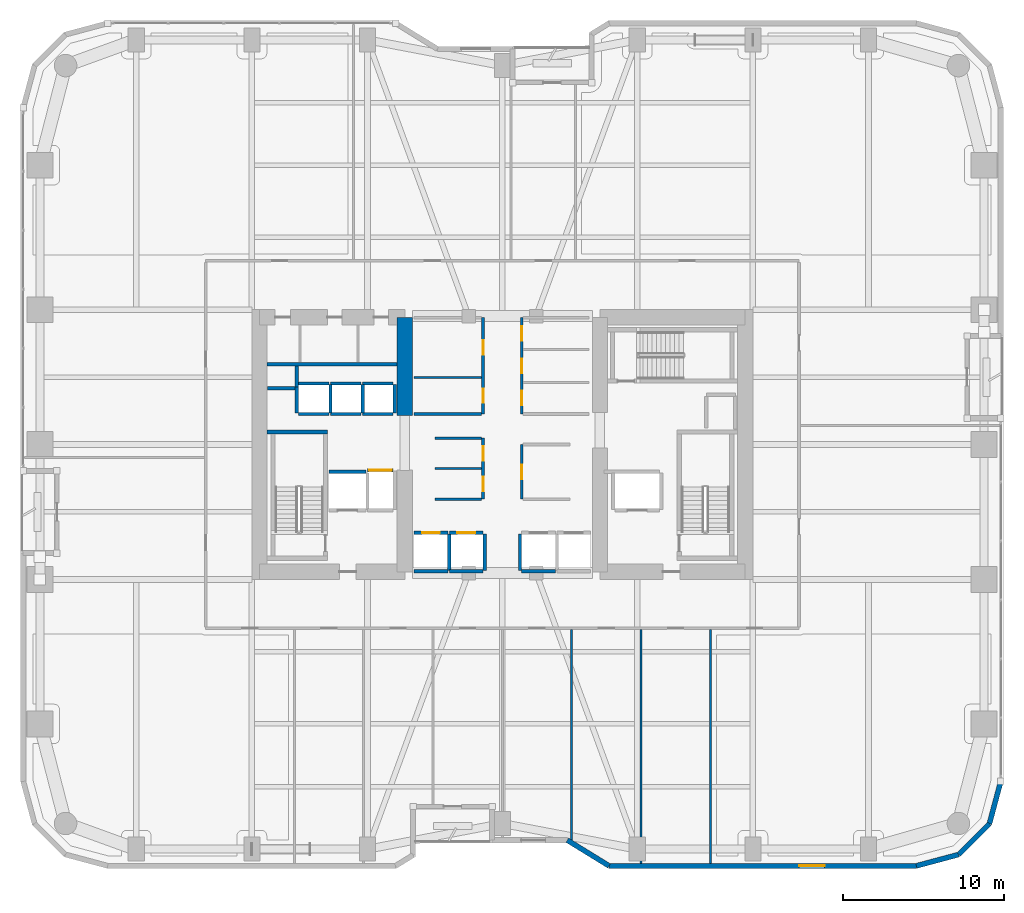
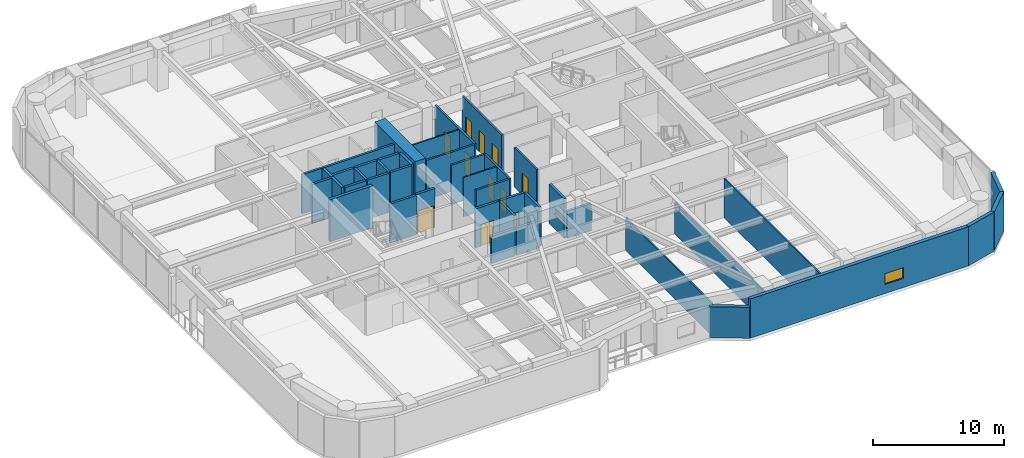
# One storey, part 23 of 28: 42 walls, 11 doors, 1 window, 12 openings.
"""IFC4 building model written with IfcOpenShell, lengths in metres."""

from ifc_helpers import new_model, si_unit, direction, frame, frame_2d, origin, place, context, subcontext, project, spatial, rectangle, extrude, material, layer, layer_set, type_object, element, fill, save


model = new_model("IFC4")

# Units and contexts
model_context = context("Model", 3, precision=1e-05, world=origin(), true_north=direction((0.0, 1.0)))
body_context = subcontext(model_context, "Body", "Model", "MODEL_VIEW")
ifc_project = project(units=[si_unit("LENGTHUNIT", "METRE"), si_unit("AREAUNIT", "SQUARE_METRE"), si_unit("VOLUMEUNIT", "CUBIC_METRE"), si_unit("PLANEANGLEUNIT", "RADIAN"), si_unit("MASSUNIT", "GRAM", prefix="KILO")], contexts=[model_context])

# Site, building, storey
site_placement = place(None, origin())
site = spatial("IfcSite", under=ifc_project, at=site_placement, CompositionType="ELEMENT")
building_placement = place(site_placement, origin())
building = spatial("IfcBuilding", under=site, at=building_placement, Name="Kiyonajd Concourse Tower", CompositionType="ELEMENT")
storey_placement = place(building_placement, frame((0.0, 0.0, 64.5)))
storey = spatial("IfcBuildingStorey", under=building, at=storey_placement, Name="L17", CompositionType="ELEMENT", Elevation=64.5)

# Walls
ifc_material_1 = material(Name="Concrete C80/95", Category="concrete")
ifc_layer_1 = layer(ifc_material_1, 0.949951171875)
ifc_layer_set_1 = layer_set([ifc_layer_1], Name="Concrete C80/95")
wall_type_1 = type_object("IfcWallType", Name="WL-CORE-950", PredefinedType="SHEAR", material=ifc_layer_set_1)
wall_1_placement = place(storey_placement, frame((41.925048828125, 37.800048828125, 0.0), z_axis=(0.0, 0.0, 1.0), x_axis=(0.0, 1.0, 0.0)))
element("IfcWall", 1, at=wall_1_placement, inside=storey, type_object=wall_type_1, Name="L17 West Core Inner North Shear Wall", PredefinedType="SHEAR", context=body_context, shape_type="SweptSolid", body=[
    extrude(rectangle(XDim=6.125, YDim=0.949951171875, at=frame_2d((3.0625, 0.0))), origin(), (0.0, 0.0, 1.0), 3.89990234375),
])
ifc_material_2 = material(Name="Precast concrete C50/60", Category="concrete")
ifc_layer_2 = layer(ifc_material_2, 0.320068359375)
ifc_layer_set_2 = layer_set([ifc_layer_2], Name="Precast concrete C50/60")
wall_type_2 = type_object("IfcWallType", Name="WL-EXT-320", PredefinedType="SOLIDWALL", material=ifc_layer_set_2)
wall_2_placement = place(storey_placement, frame((79.0400390625, 15.02099609375, 0.0), z_axis=(0.0, 0.0, 1.0), x_axis=(-0.25869736047, -0.965958423373, 0.0)))
element("IfcWall", 2, at=wall_2_placement, inside=storey, type_object=wall_type_2, Name="L17 Exterior Concrete Frame Wall 25", PredefinedType="SOLIDWALL", context=body_context, shape_type="SweptSolid", body=[
    extrude(rectangle(XDim=2.731201171875, YDim=0.320068359375, at=frame_2d((1.36572265625, 0.0))), origin(), (0.0, 0.0, 1.0), 3.639892578125),
])
wall_3_placement = place(storey_placement, frame((78.33349609375, 12.3828125, 0.0), z_axis=(0.0, 0.0, 1.0), x_axis=(-0.707106781187, -0.707106781187, 0.0)))
element("IfcWall", 3, at=wall_3_placement, inside=storey, type_object=wall_type_2, Name="L17 Exterior Concrete Frame Wall 26", PredefinedType="SOLIDWALL", context=body_context, shape_type="SweptSolid", body=[
    extrude(rectangle(XDim=2.7099609375, YDim=0.320068359375, at=frame_2d((1.35498046875, 0.0))), origin(), (0.0, 0.0, 1.0), 3.639892578125),
])
wall_4_placement = place(storey_placement, frame((76.417236328125, 10.466552734375, 0.0), z_axis=(0.0, 0.0, 1.0), x_axis=(-0.965964405026, -0.25867502435, 0.0)))
element("IfcWall", 4, at=wall_4_placement, inside=storey, type_object=wall_type_2, Name="L17 Exterior Concrete Frame Wall 27", PredefinedType="SOLIDWALL", context=body_context, shape_type="SweptSolid", body=[
    extrude(rectangle(XDim=2.7314453125, YDim=0.320068359375, at=frame_2d((1.36572265625, 0.0))), origin(), (0.0, 0.0, 1.0), 3.639892578125),
])

# Wall, opening, window
wall_5_placement = place(storey_placement, frame((73.77880859375, 9.760009765625, 0.0), z_axis=(0.0, 0.0, 1.0), x_axis=(-1.0, 0.0, 0.0)))
wall_5 = element("IfcWall", 5, at=wall_5_placement, inside=storey, type_object=wall_type_2, Name="L17 Exterior Concrete Frame Wall 28", PredefinedType="SOLIDWALL", context=body_context, shape_type="SweptSolid", body=[
    extrude(rectangle(XDim=19.133544921875, YDim=0.320068359375, at=frame_2d((9.56689453125, 0.0))), origin(), (0.0, 0.0, 1.0), 3.639892578125),
])
opening_1_placement = place(wall_5_placement, frame((5.7041015625, 0.0, 0.85009765625)))
opening_1 = element("IfcOpeningElement", 6, at=opening_1_placement, cuts=wall_5, Name="Opening WN6", PredefinedType="OPENING", context=body_context, shape_type="SweptSolid", body=[
    extrude(rectangle(XDim=1.60009765625, YDim=1.0, at=frame_2d((0.800048828125, 0.5))), frame((0.0, 0.169921875, 0.0), z_axis=(0.0, -1.0, 0.0), x_axis=(1.0, 0.0, 0.0)), (0.0, 0.0, 1.0), 0.340087890625),
])
ifc_material_3 = material(Name="Double Low-E Insulated Glass", Category="glass")
window_type = type_object("IfcWindowType", Name="WN-VIS-1600x1000", PartitioningType="SINGLE_PANEL", PredefinedType="WINDOW", material=ifc_material_3)
window_placement = place(opening_1_placement, origin())
window = element("IfcWindow", 7, at=window_placement, inside=storey, type_object=window_type, Name="L17 Modular Facade Vision Window 28", OverallHeight=1.0, OverallWidth=1.60009765625, PartitioningType="SINGLE_PANEL", PredefinedType="WINDOW", context=body_context, shape_type="SweptSolid", body=[
    extrude(rectangle(XDim=1.60009765625, YDim=1.0, at=frame_2d((0.800048828125, 0.5))), frame((0.0, 0.030029296875, 0.0), z_axis=(0.0, -1.0, 0.0), x_axis=(1.0, 0.0, 0.0)), (0.0, 0.0, 1.0), 0.06005859375),
])
fill(opening_1, window)

# Walls
wall_6_placement = place(storey_placement, frame((54.645263671875, 9.760009765625, 0.0), z_axis=(0.0, 0.0, 1.0), x_axis=(-0.851630857047, 0.524142044989, 0.0)))
element("IfcWall", 8, at=wall_6_placement, inside=storey, type_object=wall_type_2, Name="L17 Exterior Concrete Frame Wall 29", PredefinedType="SOLIDWALL", context=body_context, shape_type="SweptSolid", body=[
    extrude(rectangle(XDim=3.052734375, YDim=0.320068359375, at=frame_2d((1.5263671875, 0.0))), origin(), (0.0, 0.0, 1.0), 2.875),
])
ifc_material_4 = material(Name="Gypsum Board on Cold-Formed Steel Stud", Category="steel")
ifc_layer_3 = layer(ifc_material_4, 0.125)
ifc_layer_set_3 = layer_set([ifc_layer_3], Name="Gypsum Board on Cold-Formed Steel Stud")
wall_type_3 = type_object("IfcWallType", Name="WL-PART-125", PredefinedType="PARTITIONING", material=ifc_layer_set_3)
wall_7_placement = place(storey_placement, frame((43.800048828125, 34.5, 0.0), z_axis=(0.0, 0.0, 1.0), x_axis=(1.0, 0.0, 0.0)))
element("IfcWall", 9, at=wall_7_placement, inside=storey, type_object=wall_type_3, Name="L17 Interior Partition Wall", PredefinedType="PARTITIONING", context=body_context, shape_type="SweptSolid", body=[
    extrude(rectangle(XDim=2.912841796875, YDim=0.125, at=frame_2d((1.45654296875, 0.0))), origin(), (0.0, 0.0, 1.0), 3.639892578125),
])
wall_8_placement = place(storey_placement, frame((42.5, 40.179931640625, 0.0), z_axis=(0.0, 0.0, 1.0), x_axis=(1.0, 0.0, 0.0)))
element("IfcWall", 10, at=wall_8_placement, inside=storey, type_object=wall_type_3, Name="L17 Interior Partition Wall", PredefinedType="PARTITIONING", context=body_context, shape_type="SweptSolid", body=[
    extrude(rectangle(XDim=4.212890625, YDim=0.125, at=frame_2d((2.1064453125, 0.0))), origin(), (0.0, 0.0, 1.0), 3.639892578125),
])
wall_9_placement = place(storey_placement, frame((52.320068359375, 11.345947265625, 0.0), z_axis=(0.0, 0.0, 1.0), x_axis=(0.0, 1.0, 0.0)))
element("IfcWall", 11, at=wall_9_placement, inside=storey, type_object=wall_type_3, Name="L17 Interior Partition Wall", PredefinedType="PARTITIONING", context=body_context, shape_type="SweptSolid", body=[
    extrude(rectangle(XDim=13.126953125, YDim=0.125, at=frame_2d((6.5634765625, 0.0))), origin(), (0.0, 0.0, 1.0), 3.0029296875),
])
wall_10_placement = place(storey_placement, frame((56.639892578125, 9.9150390625, 0.0), z_axis=(0.0, 0.0, 1.0), x_axis=(0.0, 1.0, 0.0)))
element("IfcWall", 12, at=wall_10_placement, inside=storey, type_object=wall_type_3, Name="L17 Interior Partition Wall", PredefinedType="PARTITIONING", context=body_context, shape_type="SweptSolid", body=[
    extrude(rectangle(XDim=14.557861328125, YDim=0.125, at=frame_2d((7.27880859375, 0.0))), origin(), (0.0, 0.0, 1.0), 2.929931640625),
])
wall_11_placement = place(storey_placement, frame((60.9599609375, 9.9150390625, 0.0), z_axis=(0.0, 0.0, 1.0), x_axis=(0.0, 1.0, 0.0)))
element("IfcWall", 13, at=wall_11_placement, inside=storey, type_object=wall_type_3, Name="L17 Interior Partition Wall", PredefinedType="PARTITIONING", context=body_context, shape_type="SweptSolid", body=[
    extrude(rectangle(XDim=14.557861328125, YDim=0.125, at=frame_2d((7.27880859375, 0.0))), origin(), (0.0, 0.0, 1.0), 3.639892578125),
])
ifc_layer_4 = layer(ifc_material_4, 0.18994140625)
ifc_layer_set_4 = layer_set([ifc_layer_4], Name="Gypsum Board on Cold-Formed Steel Stud")
wall_type_4 = type_object("IfcWallType", Name="WL-PLMB-190", PredefinedType="PLUMBINGWALL", material=ifc_layer_set_4)
wall_12_placement = place(storey_placement, frame((33.35009765625, 41.0, 0.0), z_axis=(0.0, 0.0, 1.0), x_axis=(1.0, 0.0, 0.0)))
element("IfcWall", 14, at=wall_12_placement, inside=storey, type_object=wall_type_4, Name="L17 Interior Partition Wall", PredefinedType="PLUMBINGWALL", context=body_context, shape_type="SweptSolid", body=[
    extrude(rectangle(XDim=8.099853515625, YDim=0.18994140625, at=frame_2d((4.0498046875, 0.0))), origin(), (0.0, 0.0, 1.0), 3.639892578125),
])
ifc_layer_5 = layer(ifc_material_4, 0.2099609375)
ifc_layer_set_5 = layer_set([ifc_layer_5], Name="Gypsum Board on Cold-Formed Steel Stud")
wall_type_5 = type_object("IfcWallType", Name="WL-SHAFT-210", PredefinedType="PARTITIONING", material=ifc_layer_set_5)
wall_13_placement = place(storey_placement, frame((33.360107421875, 39.5, 0.0), z_axis=(0.0, 0.0, 1.0), x_axis=(1.0, 0.0, 0.0)))
element("IfcWall", 15, at=wall_13_placement, inside=storey, type_object=wall_type_5, Name="L17 Shaft Enclosure Wall", PredefinedType="PARTITIONING", context=body_context, shape_type="SweptSolid", body=[
    extrude(rectangle(XDim=1.85986328125, YDim=0.2099609375, at=frame_2d((0.929931640625, 0.0))), origin(), (0.0, 0.0, 1.0), 3.639892578125),
])
wall_14_placement = place(storey_placement, frame((35.199951171875, 39.580078125, 0.0), z_axis=(0.0, 0.0, 1.0), x_axis=(0.0, 1.0, 0.0)))
element("IfcWall", 16, at=wall_14_placement, inside=storey, type_object=wall_type_5, Name="L17 Shaft Enclosure Wall", PredefinedType="PARTITIONING", context=body_context, shape_type="SweptSolid", body=[
    extrude(rectangle(XDim=1.31982421875, YDim=0.2099609375, at=frame_2d((0.659912109375, 0.0))), origin(), (0.0, 0.0, 1.0), 3.639892578125),
])
wall_15_placement = place(storey_placement, frame((37.199951171875, 34.300048828125, 0.0), z_axis=(0.0, 0.0, 1.0), x_axis=(1.0, 0.0, 0.0)))
element("IfcWall", 17, at=wall_15_placement, inside=storey, type_object=wall_type_5, Name="L17 Shaft Enclosure Wall", PredefinedType="PARTITIONING", context=body_context, shape_type="SweptSolid", body=[
    extrude(rectangle(XDim=2.300048828125, YDim=0.2099609375, at=frame_2d((1.14990234375, 0.0))), origin(), (0.0, 0.0, 1.0), 3.639892578125),
])

# Wall, opening, door
wall_16_placement = place(storey_placement, frame((39.60009765625, 34.39990234375, 0.0), z_axis=(0.0, 0.0, 1.0), x_axis=(1.0, 0.0, 0.0)))
wall_16 = element("IfcWall", 18, at=wall_16_placement, inside=storey, type_object=wall_type_5, Name="L17 Shaft Enclosure Wall", PredefinedType="PARTITIONING", context=body_context, shape_type="SweptSolid", body=[
    extrude(rectangle(XDim=1.599853515625, YDim=0.2099609375, at=frame_2d((0.7998046875, 0.0))), origin(), (0.0, 0.0, 1.0), 3.639892578125),
])
opening_2_placement = place(wall_16_placement, frame((0.10009765625, 0.0, 0.0)))
opening_2 = element("IfcOpeningElement", 19, at=opening_2_placement, cuts=wall_16, Name="Opening LD3", PredefinedType="OPENING", context=body_context, shape_type="SweptSolid", body=[
    extrude(rectangle(XDim=1.39990234375, YDim=2.06005859375, at=frame_2d((0.699951171875, 1.030029296875))), frame((0.0, 0.114990234375, 0.0), z_axis=(0.0, -1.0, 0.0), x_axis=(1.0, 0.0, 0.0)), (0.0, 0.0, 1.0), 0.22998046875),
])
ifc_material_5 = material(Name="Brushed Stainless Steel Cab Assembly", Category="steel")
door_type_1 = type_object("IfcDoorType", Name="DR-LD-1400", OperationType="DOUBLE_DOOR_SLIDING", PredefinedType="DOOR", material=ifc_material_5)
door_1_placement = place(opening_2_placement, origin())
door_1 = element("IfcDoor", 20, at=door_1_placement, inside=storey, type_object=door_type_1, Name="L17 Lift SVL1 Sliding Landing Door", OperationType="DOUBLE_DOOR_SLIDING", OverallHeight=2.06005859375, OverallWidth=1.39990234375, PredefinedType="DOOR", context=body_context, shape_type="SweptSolid", body=[
    extrude(rectangle(XDim=1.39990234375, YDim=2.06005859375, at=frame_2d((0.699951171875, 1.030029296875))), frame((0.0, 0.02490234375, 0.0), z_axis=(0.0, -1.0, 0.0), x_axis=(1.0, 0.0, 0.0)), (0.0, 0.0, 1.0), 0.050048828125),
])
fill(opening_2, door_1)

wall_17_placement = place(storey_placement, frame((42.5, 30.5, 0.0), z_axis=(0.0, 0.0, 1.0), x_axis=(1.0, 0.0, 0.0)))
wall_17 = element("IfcWall", 21, at=wall_17_placement, inside=storey, type_object=wall_type_5, Name="L17 Shaft Enclosure Wall", PredefinedType="PARTITIONING", context=body_context, shape_type="SweptSolid", body=[
    extrude(rectangle(XDim=2.10009765625, YDim=0.2099609375, at=frame_2d((1.050048828125, 0.0))), origin(), (0.0, 0.0, 1.0), 3.639892578125),
])
opening_3_placement = place(wall_17_placement, frame((0.5, 0.0, 0.0)))
opening_3 = element("IfcOpeningElement", 22, at=opening_3_placement, cuts=wall_17, Name="Opening LD1", PredefinedType="OPENING", context=body_context, shape_type="SweptSolid", body=[
    extrude(rectangle(XDim=1.10009765625, YDim=2.0400390625, at=frame_2d((0.550048828125, 1.02001953125))), frame((0.0, 0.114990234375, 0.0), z_axis=(0.0, -1.0, 0.0), x_axis=(1.0, 0.0, 0.0)), (0.0, 0.0, 1.0), 0.22998046875),
])
door_type_2 = type_object("IfcDoorType", Name="DR-LD-1100", OperationType="DOUBLE_DOOR_SLIDING", PredefinedType="DOOR", material=ifc_material_5)
door_2_placement = place(opening_3_placement, origin())
door_2 = element("IfcDoor", 23, at=door_2_placement, inside=storey, type_object=door_type_2, Name="L17 Lift PL-L1 Sliding Landing Door", OperationType="DOUBLE_DOOR_SLIDING", OverallHeight=2.0400390625, OverallWidth=1.10009765625, PredefinedType="DOOR", context=body_context, shape_type="SweptSolid", body=[
    extrude(rectangle(XDim=1.10009765625, YDim=2.0400390625, at=frame_2d((0.550048828125, 1.02001953125))), frame((0.0, 0.02490234375, 0.0), z_axis=(0.0, -1.0, 0.0), x_axis=(1.0, 0.0, 0.0)), (0.0, 0.0, 1.0), 0.050048828125),
])
fill(opening_3, door_2)

# Walls
wall_18_placement = place(storey_placement, frame((42.5, 28.10009765625, 0.0), z_axis=(0.0, 0.0, 1.0), x_axis=(1.0, 0.0, 0.0)))
element("IfcWall", 24, at=wall_18_placement, inside=storey, type_object=wall_type_5, Name="L17 Shaft Enclosure Wall", PredefinedType="PARTITIONING", context=body_context, shape_type="SweptSolid", body=[
    extrude(rectangle(XDim=2.10009765625, YDim=0.2099609375, at=frame_2d((1.050048828125, 0.0))), origin(), (0.0, 0.0, 1.0), 2.52490234375),
])
wall_19_placement = place(storey_placement, frame((44.699951171875, 28.159912109375, 0.0), z_axis=(0.0, 0.0, 1.0), x_axis=(0.0, 1.0, 0.0)))
element("IfcWall", 25, at=wall_19_placement, inside=storey, type_object=wall_type_5, Name="L17 Shaft Enclosure Wall", PredefinedType="PARTITIONING", context=body_context, shape_type="SweptSolid", body=[
    extrude(rectangle(XDim=2.280029296875, YDim=0.2099609375, at=frame_2d((1.14013671875, 0.0))), origin(), (0.0, 0.0, 1.0), 3.639892578125),
])

# Wall, opening, door
wall_20_placement = place(storey_placement, frame((44.699951171875, 30.5, 0.0), z_axis=(0.0, 0.0, 1.0), x_axis=(1.0, 0.0, 0.0)))
wall_20 = element("IfcWall", 26, at=wall_20_placement, inside=storey, type_object=wall_type_5, Name="L17 Shaft Enclosure Wall", PredefinedType="PARTITIONING", context=body_context, shape_type="SweptSolid", body=[
    extrude(rectangle(XDim=2.10009765625, YDim=0.2099609375, at=frame_2d((1.050048828125, 0.0))), origin(), (0.0, 0.0, 1.0), 3.639892578125),
])
opening_4_placement = place(wall_20_placement, frame((0.5, 0.0, 0.0)))
opening_4 = element("IfcOpeningElement", 27, at=opening_4_placement, cuts=wall_20, Name="Opening LD1", PredefinedType="OPENING", context=body_context, shape_type="SweptSolid", body=[
    extrude(rectangle(XDim=1.10009765625, YDim=2.0400390625, at=frame_2d((0.550048828125, 1.02001953125))), frame((0.0, 0.114990234375, 0.0), z_axis=(0.0, -1.0, 0.0), x_axis=(1.0, 0.0, 0.0)), (0.0, 0.0, 1.0), 0.22998046875),
])
door_3_placement = place(opening_4_placement, origin())
door_3 = element("IfcDoor", 28, at=door_3_placement, inside=storey, type_object=door_type_2, Name="L17 Lift PL-L2 Sliding Landing Door", OperationType="DOUBLE_DOOR_SLIDING", OverallHeight=2.0400390625, OverallWidth=1.10009765625, PredefinedType="DOOR", context=body_context, shape_type="SweptSolid", body=[
    extrude(rectangle(XDim=1.10009765625, YDim=2.0400390625, at=frame_2d((0.550048828125, 1.02001953125))), frame((0.0, 0.02490234375, 0.0), z_axis=(0.0, -1.0, 0.0), x_axis=(1.0, 0.0, 0.0)), (0.0, 0.0, 1.0), 0.050048828125),
])
fill(opening_4, door_3)

# Walls
wall_21_placement = place(storey_placement, frame((44.699951171875, 28.10009765625, 0.0), z_axis=(0.0, 0.0, 1.0), x_axis=(1.0, 0.0, 0.0)))
element("IfcWall", 29, at=wall_21_placement, inside=storey, type_object=wall_type_5, Name="L17 Shaft Enclosure Wall", PredefinedType="PARTITIONING", context=body_context, shape_type="SweptSolid", body=[
    extrude(rectangle(XDim=2.10009765625, YDim=0.2099609375, at=frame_2d((1.050048828125, 0.0))), origin(), (0.0, 0.0, 1.0), 2.52490234375),
])
wall_22_placement = place(storey_placement, frame((46.89990234375, 28.159912109375, 0.0), z_axis=(0.0, 0.0, 1.0), x_axis=(0.0, 1.0, 0.0)))
element("IfcWall", 30, at=wall_22_placement, inside=storey, type_object=wall_type_5, Name="L17 Shaft Enclosure Wall", PredefinedType="PARTITIONING", context=body_context, shape_type="SweptSolid", body=[
    extrude(rectangle(XDim=2.280029296875, YDim=0.2099609375, at=frame_2d((1.14013671875, 0.0))), origin(), (0.0, 0.0, 1.0), 3.639892578125),
])
wall_23_placement = place(storey_placement, frame((49.199951171875, 28.10009765625, 0.0), z_axis=(0.0, 0.0, 1.0), x_axis=(1.0, 0.0, 0.0)))
element("IfcWall", 31, at=wall_23_placement, inside=storey, type_object=wall_type_5, Name="L17 Shaft Enclosure Wall", PredefinedType="PARTITIONING", context=body_context, shape_type="SweptSolid", body=[
    extrude(rectangle(XDim=2.10009765625, YDim=0.2099609375, at=frame_2d((1.050048828125, 0.0))), origin(), (0.0, 0.0, 1.0), 2.52490234375),
])
wall_24_placement = place(storey_placement, frame((49.10009765625, 28.159912109375, 0.0), z_axis=(0.0, 0.0, 1.0), x_axis=(0.0, 1.0, 0.0)))
element("IfcWall", 32, at=wall_24_placement, inside=storey, type_object=wall_type_5, Name="L17 Shaft Enclosure Wall", PredefinedType="PARTITIONING", context=body_context, shape_type="SweptSolid", body=[
    extrude(rectangle(XDim=2.280029296875, YDim=0.2099609375, at=frame_2d((1.14013671875, 0.0))), origin(), (0.0, 0.0, 1.0), 3.639892578125),
])
for number, where, z_axis, x_axis, name in (
    (33, (35.300048828125, 37.89990234375, 0.0), (0.0, 0.0, 1.0), (1.0, 0.0, 0.0), "L17 Shaft Enclosure Wall"),
    (34, (35.300048828125, 39.800048828125, 0.0), (0.0, 0.0, 1.0), (1.0, 0.0, 0.0), "L17 Shaft Enclosure Wall"),
):
    element("IfcWall", number, at=place(storey_placement, frame(where, z_axis=z_axis, x_axis=x_axis)), inside=storey, type_object=wall_type_5, Name=name, PredefinedType="PARTITIONING", context=body_context, shape_type="SweptSolid", body=[
        extrude(rectangle(XDim=1.89990234375, YDim=0.2099609375, at=frame_2d((0.949951171875, 0.0))), origin(), (0.0, 0.0, 1.0), 3.639892578125),
    ])
wall_25_placement = place(storey_placement, frame((35.199951171875, 37.9599609375, 0.0), z_axis=(0.0, 0.0, 1.0), x_axis=(0.0, 1.0, 0.0)))
element("IfcWall", 35, at=wall_25_placement, inside=storey, type_object=wall_type_5, Name="L17 Shaft Enclosure Wall", PredefinedType="PARTITIONING", context=body_context, shape_type="SweptSolid", body=[
    extrude(rectangle(XDim=1.6201171875, YDim=0.2099609375, at=frame_2d((0.81005859375, 0.0))), origin(), (0.0, 0.0, 1.0), 3.639892578125),
])
wall_26_placement = place(storey_placement, frame((37.300048828125, 37.9599609375, 0.0), z_axis=(0.0, 0.0, 1.0), x_axis=(0.0, 1.0, 0.0)))
element("IfcWall", 36, at=wall_26_placement, inside=storey, type_object=wall_type_5, Name="L17 Shaft Enclosure Wall", PredefinedType="PARTITIONING", context=body_context, shape_type="SweptSolid", body=[
    extrude(rectangle(XDim=1.780029296875, YDim=0.2099609375, at=frame_2d((0.89013671875, 0.0))), origin(), (0.0, 0.0, 1.0), 3.639892578125),
])
for number, where, z_axis, x_axis, name in (
    (37, (37.300048828125, 37.89990234375, 0.0), (0.0, 0.0, 1.0), (1.0, 0.0, 0.0), "L17 Shaft Enclosure Wall"),
    (38, (37.300048828125, 39.800048828125, 0.0), (0.0, 0.0, 1.0), (1.0, 0.0, 0.0), "L17 Shaft Enclosure Wall"),
):
    element("IfcWall", number, at=place(storey_placement, frame(where, z_axis=z_axis, x_axis=x_axis)), inside=storey, type_object=wall_type_5, Name=name, PredefinedType="PARTITIONING", context=body_context, shape_type="SweptSolid", body=[
        extrude(rectangle(XDim=1.89990234375, YDim=0.2099609375, at=frame_2d((0.949951171875, 0.0))), origin(), (0.0, 0.0, 1.0), 3.639892578125),
    ])
wall_27_placement = place(storey_placement, frame((39.300048828125, 37.9599609375, 0.0), z_axis=(0.0, 0.0, 1.0), x_axis=(0.0, 1.0, 0.0)))
element("IfcWall", 39, at=wall_27_placement, inside=storey, type_object=wall_type_5, Name="L17 Shaft Enclosure Wall", PredefinedType="PARTITIONING", context=body_context, shape_type="SweptSolid", body=[
    extrude(rectangle(XDim=1.780029296875, YDim=0.2099609375, at=frame_2d((0.89013671875, 0.0))), origin(), (0.0, 0.0, 1.0), 3.639892578125),
])
for number, where, z_axis, x_axis, name in (
    (40, (39.300048828125, 37.89990234375, 0.0), (0.0, 0.0, 1.0), (1.0, 0.0, 0.0), "L17 Shaft Enclosure Wall"),
    (41, (39.300048828125, 39.800048828125, 0.0), (0.0, 0.0, 1.0), (1.0, 0.0, 0.0), "L17 Shaft Enclosure Wall"),
):
    element("IfcWall", number, at=place(storey_placement, frame(where, z_axis=z_axis, x_axis=x_axis)), inside=storey, type_object=wall_type_5, Name=name, PredefinedType="PARTITIONING", context=body_context, shape_type="SweptSolid", body=[
        extrude(rectangle(XDim=1.89990234375, YDim=0.2099609375, at=frame_2d((0.949951171875, 0.0))), origin(), (0.0, 0.0, 1.0), 3.639892578125),
    ])
wall_28_placement = place(storey_placement, frame((41.300048828125, 37.9599609375, 0.0), z_axis=(0.0, 0.0, 1.0), x_axis=(0.0, 1.0, 0.0)))
element("IfcWall", 42, at=wall_28_placement, inside=storey, type_object=wall_type_5, Name="L17 Shaft Enclosure Wall", PredefinedType="PARTITIONING", context=body_context, shape_type="SweptSolid", body=[
    extrude(rectangle(XDim=1.780029296875, YDim=0.2099609375, at=frame_2d((0.89013671875, 0.0))), origin(), (0.0, 0.0, 1.0), 3.639892578125),
])

# Wall, openings, doors
ifc_layer_6 = layer(ifc_material_4, 0.169921875)
ifc_layer_set_6 = layer_set([ifc_layer_6], Name="Gypsum Board on Cold-Formed Steel Stud")
wall_type_6 = type_object("IfcWallType", Name="WL-SMK-170", PredefinedType="PARTITIONING", material=ifc_layer_set_6)
wall_29_placement = place(storey_placement, frame((46.800048828125, 32.60009765625, 0.0), z_axis=(0.0, 0.0, 1.0), x_axis=(0.0, 1.0, 0.0)))
wall_29 = element("IfcWall", 43, at=wall_29_placement, inside=storey, type_object=wall_type_6, Name="L17 Interior Partition Wall", PredefinedType="PARTITIONING", context=body_context, shape_type="SweptSolid", body=[
    extrude(rectangle(XDim=3.7998046875, YDim=0.169921875, at=frame_2d((1.89990234375, 0.0))), origin(), (0.0, 0.0, 1.0), 3.639892578125),
])
opening_5_placement = place(wall_29_placement, frame((0.5, 0.0, 0.0)))
opening_5 = element("IfcOpeningElement", 44, at=opening_5_placement, cuts=wall_29, Name="Opening DI2", PredefinedType="OPENING", context=body_context, shape_type="SweptSolid", body=[
    extrude(rectangle(XDim=0.89990234375, YDim=2.02001953125, at=frame_2d((0.449951171875, 1.010009765625))), frame((0.0, 0.094970703125, 0.0), z_axis=(0.0, -1.0, 0.0), x_axis=(1.0, 0.0, 0.0)), (0.0, 0.0, 1.0), 0.18994140625),
])
opening_6_placement = place(wall_29_placement, frame((2.39990234375, 0.0, 0.0)))
opening_6 = element("IfcOpeningElement", 45, at=opening_6_placement, cuts=wall_29, Name="Opening DI2", PredefinedType="OPENING", context=body_context, shape_type="SweptSolid", body=[
    extrude(rectangle(XDim=0.89990234375, YDim=2.02001953125, at=frame_2d((0.449951171875, 1.010009765625))), frame((0.0, 0.094970703125, 0.0), z_axis=(0.0, -1.0, 0.0), x_axis=(1.0, 0.0, 0.0)), (0.0, 0.0, 1.0), 0.18994140625),
])
ifc_material_6 = material(Name="Natural Oak Acoustic Timber Veneer", Category="wood")
door_type_3 = type_object("IfcDoorType", Name="DR-INT-900", OperationType="NOTDEFINED", PredefinedType="DOOR", material=ifc_material_6)
door_4_placement = place(opening_5_placement, origin())
door_4 = element("IfcDoor", 46, at=door_4_placement, inside=storey, type_object=door_type_3, Name="L17 Interior Door", OperationType="SINGLE_SWING_LEFT", OverallHeight=2.02001953125, OverallWidth=0.89990234375, PredefinedType="DOOR", context=body_context, shape_type="SweptSolid", body=[
    extrude(rectangle(XDim=0.89990234375, YDim=2.02001953125, at=frame_2d((0.449951171875, 1.010009765625))), frame((0.0, 0.02490234375, 0.0), z_axis=(0.0, -1.0, 0.0), x_axis=(1.0, 0.0, 0.0)), (0.0, 0.0, 1.0), 0.050048828125),
])
fill(opening_5, door_4)
door_5_placement = place(opening_6_placement, origin())
door_5 = element("IfcDoor", 47, at=door_5_placement, inside=storey, type_object=door_type_3, Name="L17 Interior Door", OperationType="SINGLE_SWING_RIGHT", OverallHeight=2.02001953125, OverallWidth=0.89990234375, PredefinedType="DOOR", context=body_context, shape_type="SweptSolid", body=[
    extrude(rectangle(XDim=0.89990234375, YDim=2.02001953125, at=frame_2d((0.449951171875, 1.010009765625))), frame((0.0, 0.02490234375, 0.0), z_axis=(0.0, -1.0, 0.0), x_axis=(1.0, 0.0, 0.0)), (0.0, 0.0, 1.0), 0.050048828125),
])
fill(opening_6, door_5)

# Walls
for number, where, z_axis, x_axis, name in (
    (48, (43.800048828125, 32.60009765625, 0.0), (0.0, 0.0, 1.0), (1.0, 0.0, 0.0), "L17 Interior Partition Wall"),
    (49, (43.800048828125, 36.39990234375, 0.0), (0.0, 0.0, 1.0), (1.0, 0.0, 0.0), "L17 Interior Partition Wall"),
):
    element("IfcWall", number, at=place(storey_placement, frame(where, z_axis=z_axis, x_axis=x_axis)), inside=storey, type_object=wall_type_6, Name=name, PredefinedType="PARTITIONING", context=body_context, shape_type="SweptSolid", body=[
        extrude(rectangle(XDim=2.912841796875, YDim=0.169921875, at=frame_2d((1.45654296875, 0.0))), origin(), (0.0, 0.0, 1.0), 3.639892578125),
    ])

# Wall, opening, door
wall_30_placement = place(storey_placement, frame((49.199951171875, 32.60009765625, 0.0), z_axis=(0.0, 0.0, 1.0), x_axis=(0.0, 1.0, 0.0)))
wall_30 = element("IfcWall", 50, at=wall_30_placement, inside=storey, type_object=wall_type_6, Name="L17 Interior Partition Wall", PredefinedType="PARTITIONING", context=body_context, shape_type="SweptSolid", body=[
    extrude(rectangle(XDim=3.39990234375, YDim=0.169921875, at=frame_2d((1.699951171875, 0.0))), origin(), (0.0, 0.0, 1.0), 3.639892578125),
])
opening_7_placement = place(wall_30_placement, frame((1.25, 0.0, 0.0)))
opening_7 = element("IfcOpeningElement", 51, at=opening_7_placement, cuts=wall_30, Name="Opening DI2", PredefinedType="OPENING", context=body_context, shape_type="SweptSolid", body=[
    extrude(rectangle(XDim=0.89990234375, YDim=2.02001953125, at=frame_2d((0.449951171875, 1.010009765625))), frame((0.0, 0.094970703125, 0.0), z_axis=(0.0, -1.0, 0.0), x_axis=(1.0, 0.0, 0.0)), (0.0, 0.0, 1.0), 0.18994140625),
])
door_6_placement = place(opening_7_placement, origin())
door_6 = element("IfcDoor", 52, at=door_6_placement, inside=storey, type_object=door_type_3, Name="L17 Interior Door", OperationType="SINGLE_SWING_LEFT", OverallHeight=2.02001953125, OverallWidth=0.89990234375, PredefinedType="DOOR", context=body_context, shape_type="SweptSolid", body=[
    extrude(rectangle(XDim=0.89990234375, YDim=2.02001953125, at=frame_2d((0.449951171875, 1.010009765625))), frame((0.0, 0.02490234375, 0.0), z_axis=(0.0, -1.0, 0.0), x_axis=(1.0, 0.0, 0.0)), (0.0, 0.0, 1.0), 0.050048828125),
])
fill(opening_7, door_6)

# Wall, openings, doors
wall_31_placement = place(storey_placement, frame((46.800048828125, 37.89990234375, 0.0), z_axis=(0.0, 0.0, 1.0), x_axis=(0.0, 1.0, 0.0)))
wall_31 = element("IfcWall", 53, at=wall_31_placement, inside=storey, type_object=wall_type_6, Name="L17 Interior Partition Wall", PredefinedType="PARTITIONING", context=body_context, shape_type="SweptSolid", body=[
    extrude(rectangle(XDim=6.0, YDim=0.169921875, at=frame_2d((3.0, 0.0))), origin(), (0.0, 0.0, 1.0), 3.639892578125),
])
opening_8_placement = place(wall_31_placement, frame((0.68994140625, 0.0, 0.0)))
opening_8 = element("IfcOpeningElement", 54, at=opening_8_placement, cuts=wall_31, Name="Opening DI2", PredefinedType="OPENING", context=body_context, shape_type="SweptSolid", body=[
    extrude(rectangle(XDim=0.89990234375, YDim=2.02001953125, at=frame_2d((0.449951171875, 1.010009765625))), frame((0.0, 0.094970703125, 0.0), z_axis=(0.0, -1.0, 0.0), x_axis=(1.0, 0.0, 0.0)), (0.0, 0.0, 1.0), 0.18994140625),
])
opening_9_placement = place(wall_31_placement, frame((3.68994140625, 0.0, 0.0)))
opening_9 = element("IfcOpeningElement", 55, at=opening_9_placement, cuts=wall_31, Name="Opening DI2", PredefinedType="OPENING", context=body_context, shape_type="SweptSolid", body=[
    extrude(rectangle(XDim=0.89990234375, YDim=2.02001953125, at=frame_2d((0.449951171875, 1.010009765625))), frame((0.0, 0.094970703125, 0.0), z_axis=(0.0, -1.0, 0.0), x_axis=(1.0, 0.0, 0.0)), (0.0, 0.0, 1.0), 0.18994140625),
])
door_7_placement = place(opening_8_placement, origin())
door_7 = element("IfcDoor", 56, at=door_7_placement, inside=storey, type_object=door_type_3, Name="L17 Interior Door", OperationType="SINGLE_SWING_RIGHT", OverallHeight=2.02001953125, OverallWidth=0.89990234375, PredefinedType="DOOR", context=body_context, shape_type="SweptSolid", body=[
    extrude(rectangle(XDim=0.89990234375, YDim=2.02001953125, at=frame_2d((0.449951171875, 1.010009765625))), frame((0.0, 0.02490234375, 0.0), z_axis=(0.0, -1.0, 0.0), x_axis=(1.0, 0.0, 0.0)), (0.0, 0.0, 1.0), 0.050048828125),
])
fill(opening_8, door_7)
door_8_placement = place(opening_9_placement, origin())
door_8 = element("IfcDoor", 57, at=door_8_placement, inside=storey, type_object=door_type_3, Name="L17 Interior Door", OperationType="SINGLE_SWING_LEFT", OverallHeight=2.02001953125, OverallWidth=0.89990234375, PredefinedType="DOOR", context=body_context, shape_type="SweptSolid", body=[
    extrude(rectangle(XDim=0.89990234375, YDim=2.02001953125, at=frame_2d((0.449951171875, 1.010009765625))), frame((0.0, 0.02490234375, 0.0), z_axis=(0.0, -1.0, 0.0), x_axis=(1.0, 0.0, 0.0)), (0.0, 0.0, 1.0), 0.050048828125),
])
fill(opening_9, door_8)

# Wall
wall_32_placement = place(storey_placement, frame((42.5, 37.89990234375, 0.0), z_axis=(0.0, 0.0, 1.0), x_axis=(1.0, 0.0, 0.0)))
element("IfcWall", 58, at=wall_32_placement, inside=storey, type_object=wall_type_6, Name="L17 Interior Partition Wall", PredefinedType="PARTITIONING", context=body_context, shape_type="SweptSolid", body=[
    extrude(rectangle(XDim=4.212890625, YDim=0.169921875, at=frame_2d((2.1064453125, 0.0))), origin(), (0.0, 0.0, 1.0), 3.639892578125),
])

# Wall, openings, doors
wall_33_placement = place(storey_placement, frame((49.199951171875, 37.89990234375, 0.0), z_axis=(0.0, 0.0, 1.0), x_axis=(0.0, 1.0, 0.0)))
wall_33 = element("IfcWall", 59, at=wall_33_placement, inside=storey, type_object=wall_type_6, Name="L17 Interior Partition Wall", PredefinedType="PARTITIONING", context=body_context, shape_type="SweptSolid", body=[
    extrude(rectangle(XDim=6.0, YDim=0.169921875, at=frame_2d((3.0, 0.0))), origin(), (0.0, 0.0, 1.0), 3.639892578125),
])
opening_10_placement = place(wall_33_placement, frame((0.5400390625, 0.0, 0.0)))
opening_10 = element("IfcOpeningElement", 60, at=opening_10_placement, cuts=wall_33, Name="Opening DI2", PredefinedType="OPENING", context=body_context, shape_type="SweptSolid", body=[
    extrude(rectangle(XDim=0.89990234375, YDim=2.02001953125, at=frame_2d((0.449951171875, 1.010009765625))), frame((0.0, 0.094970703125, 0.0), z_axis=(0.0, -1.0, 0.0), x_axis=(1.0, 0.0, 0.0)), (0.0, 0.0, 1.0), 0.18994140625),
])
opening_11_placement = place(wall_33_placement, frame((2.550048828125, 0.0, 0.0)))
opening_11 = element("IfcOpeningElement", 61, at=opening_11_placement, cuts=wall_33, Name="Opening DI2", PredefinedType="OPENING", context=body_context, shape_type="SweptSolid", body=[
    extrude(rectangle(XDim=0.89990234375, YDim=2.02001953125, at=frame_2d((0.449951171875, 1.010009765625))), frame((0.0, 0.094970703125, 0.0), z_axis=(0.0, -1.0, 0.0), x_axis=(1.0, 0.0, 0.0)), (0.0, 0.0, 1.0), 0.18994140625),
])
opening_12_placement = place(wall_33_placement, frame((4.56005859375, 0.0, 0.0)))
opening_12 = element("IfcOpeningElement", 62, at=opening_12_placement, cuts=wall_33, Name="Opening DI2", PredefinedType="OPENING", context=body_context, shape_type="SweptSolid", body=[
    extrude(rectangle(XDim=0.89990234375, YDim=2.02001953125, at=frame_2d((0.449951171875, 1.010009765625))), frame((0.0, 0.094970703125, 0.0), z_axis=(0.0, -1.0, 0.0), x_axis=(1.0, 0.0, 0.0)), (0.0, 0.0, 1.0), 0.18994140625),
])
door_9_placement = place(opening_10_placement, origin())
door_9 = element("IfcDoor", 63, at=door_9_placement, inside=storey, type_object=door_type_3, Name="L17 Interior Door", OperationType="SINGLE_SWING_RIGHT", OverallHeight=2.02001953125, OverallWidth=0.89990234375, PredefinedType="DOOR", context=body_context, shape_type="SweptSolid", body=[
    extrude(rectangle(XDim=0.89990234375, YDim=2.02001953125, at=frame_2d((0.449951171875, 1.010009765625))), frame((0.0, 0.02490234375, 0.0), z_axis=(0.0, -1.0, 0.0), x_axis=(1.0, 0.0, 0.0)), (0.0, 0.0, 1.0), 0.050048828125),
])
fill(opening_10, door_9)
door_10_placement = place(opening_11_placement, origin())
door_10 = element("IfcDoor", 64, at=door_10_placement, inside=storey, type_object=door_type_3, Name="L17 Interior Door", OperationType="SINGLE_SWING_LEFT", OverallHeight=2.02001953125, OverallWidth=0.89990234375, PredefinedType="DOOR", context=body_context, shape_type="SweptSolid", body=[
    extrude(rectangle(XDim=0.89990234375, YDim=2.02001953125, at=frame_2d((0.449951171875, 1.010009765625))), frame((0.0, 0.02490234375, 0.0), z_axis=(0.0, -1.0, 0.0), x_axis=(1.0, 0.0, 0.0)), (0.0, 0.0, 1.0), 0.050048828125),
])
fill(opening_11, door_10)
door_11_placement = place(opening_12_placement, origin())
door_11 = element("IfcDoor", 65, at=door_11_placement, inside=storey, type_object=door_type_3, Name="L17 Interior Door", OperationType="SINGLE_SWING_RIGHT", OverallHeight=2.02001953125, OverallWidth=0.89990234375, PredefinedType="DOOR", context=body_context, shape_type="SweptSolid", body=[
    extrude(rectangle(XDim=0.89990234375, YDim=2.02001953125, at=frame_2d((0.449951171875, 1.010009765625))), frame((0.0, 0.02490234375, 0.0), z_axis=(0.0, -1.0, 0.0), x_axis=(1.0, 0.0, 0.0)), (0.0, 0.0, 1.0), 0.050048828125),
])
fill(opening_12, door_11)

# Wall
ifc_material_7 = material(Name="Concrete C50/60", Category="concrete")
ifc_layer_7 = layer(ifc_material_7, 0.260009765625)
ifc_layer_set_7 = layer_set([ifc_layer_7], Name="Concrete C50/60")
wall_type_7 = type_object("IfcWallType", Name="WL-STAIR-260", PredefinedType="SHEAR", material=ifc_layer_set_7)
wall_34_placement = place(storey_placement, frame((33.35009765625, 36.780029296875, 0.0), z_axis=(0.0, 0.0, 1.0), x_axis=(1.0, 0.0, 0.0)))
element("IfcWall", 66, at=wall_34_placement, inside=storey, type_object=wall_type_7, Name="L17 Stair ST1 Structural North Wall", PredefinedType="SHEAR", context=body_context, shape_type="SweptSolid", body=[
    extrude(rectangle(XDim=3.760009765625, YDim=0.260009765625, at=frame_2d((1.8798828125, 0.0))), origin(), (0.0, 0.0, 1.0), 3.89990234375),
])

save(model, "model.ifc")
